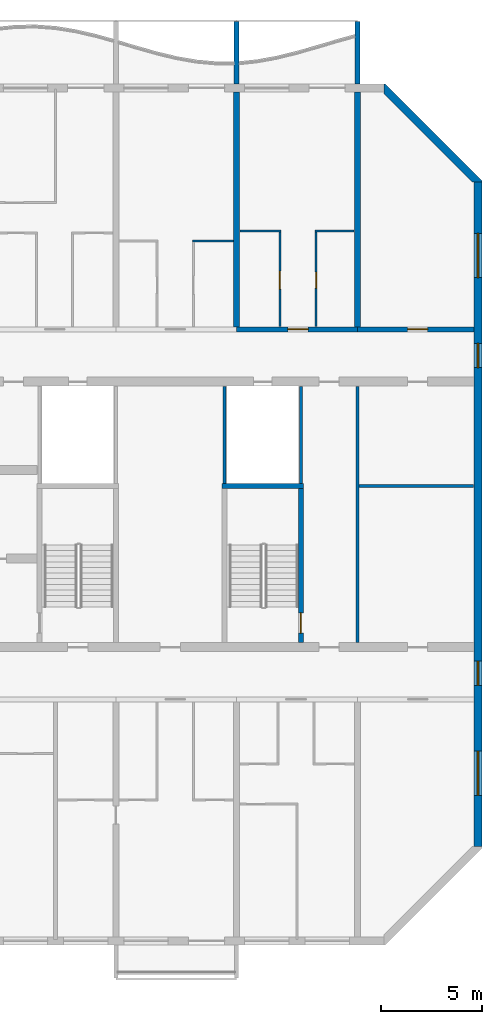
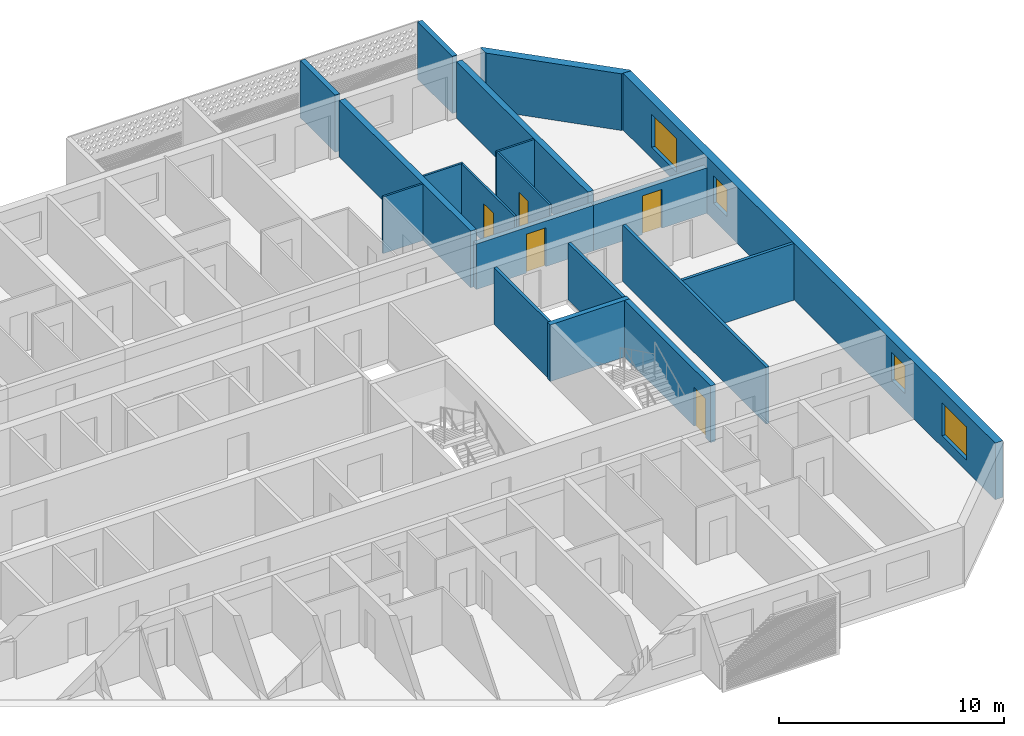
# One storey, part 13 of 33: 19 walls, 5 doors, 4 windows, 9 openings.
"""IFC4 building model written with IfcOpenShell, lengths in metres."""

from ifc_helpers import new_model, si_unit, direction, frame, frame_2d, origin, place, context, subcontext, project, spatial, polyline, rectangle, outline, extrude, source, transform, mapped, material, layer, layer_set, type_object, element, fill, save


model = new_model("IFC4")

# Units and contexts
model_context = context("Model", 3, precision=1e-05, world=origin(), true_north=direction((0.0, 1.0)))
body_context = subcontext(model_context, "Body", "Model", "MODEL_VIEW")
ifc_project = project(units=[si_unit("LENGTHUNIT", "METRE"), si_unit("AREAUNIT", "SQUARE_METRE"), si_unit("VOLUMEUNIT", "CUBIC_METRE"), si_unit("PLANEANGLEUNIT", "RADIAN"), si_unit("MASSUNIT", "GRAM", prefix="KILO")], contexts=[model_context])

# Site, building, storey
site_placement = place(None, origin())
site = spatial("IfcSite", under=ifc_project, at=site_placement, CompositionType="ELEMENT")
building_placement = place(site_placement, origin())
building = spatial("IfcBuilding", under=site, at=building_placement, Name="Poui Terraces", CompositionType="ELEMENT")
storey_placement = place(building_placement, frame((0.0, 0.0, 135.60009765625)))
storey = spatial("IfcBuildingStorey", under=building, at=storey_placement, Name="L37", CompositionType="ELEMENT", Elevation=135.60009765625)

# Wall
ifc_material_1 = material(Name="Fire-rated plasterboard wall")
ifc_layer_1 = layer(ifc_material_1, 0.14990234375)
ifc_layer_set_1 = layer_set([ifc_layer_1], Name="Fire-rated plasterboard wall")
wall_type_1 = type_object("IfcWallType", Name="CORRIDOR WALL 150", PredefinedType="PARTITIONING", material=ifc_layer_set_1)
wall_1_placement = place(storey_placement, frame((84.0, 14.8349609375, 0.0), z_axis=(0.0, 0.0, 1.0), x_axis=(0.0, 1.0, 0.0)))
element("IfcWall", 1, at=wall_1_placement, inside=storey, type_object=wall_type_1, Name="CORRIDOR WALL 150", PredefinedType="PARTITIONING", context=body_context, shape_type="SweptSolid", body=[
    extrude(rectangle(XDim=12.72998046875, YDim=0.14990234375, at=frame_2d((6.364990234375, 0.0))), origin(), (0.0, 0.0, 1.0), 3.06982421875),
])

# Wall, opening, door
ifc_material_2 = material(Name="Concrete 65 MPa", Category="concrete")
ifc_layer_2 = layer(ifc_material_2, 0.25)
ifc_layer_set_2 = layer_set([ifc_layer_2], Name="Concrete 65 MPa")
wall_type_2 = type_object("IfcWallType", Name="CORRIDOR WALL 250 65MPa", PredefinedType="SHEAR", material=ifc_layer_set_2)
wall_2_placement = place(storey_placement, frame((78.0, 30.39990234375, 0.0), z_axis=(0.0, 0.0, 1.0), x_axis=(1.0, 0.0, 0.0)))
wall_2 = element("IfcWall", 2, at=wall_2_placement, inside=storey, type_object=wall_type_2, Name="CORRIDOR WALL LINE E BAY 12", PredefinedType="SHEAR", context=body_context, shape_type="SweptSolid", body=[
    extrude(rectangle(XDim=6.0, YDim=0.25, at=frame_2d((3.0, 0.0))), origin(), (0.0, 0.0, 1.0), 2.469970703125),
])
opening_1_placement = place(wall_2_placement, frame((2.550048828125, 0.0, 0.0)))
opening_1 = element("IfcOpeningElement", 3, at=opening_1_placement, cuts=wall_2, Name="Opening FD30S", PredefinedType="OPENING", context=body_context, shape_type="SweptSolid", body=[
    extrude(rectangle(XDim=1.0, YDim=2.10009765625, at=frame_2d((0.5, 1.050048828125))), frame((0.0, 0.135009765625, 0.0), z_axis=(0.0, -1.0, 0.0), x_axis=(1.0, 0.0, 0.0)), (0.0, 0.0, 1.0), 0.27001953125),
])
ifc_material_3 = material(Name="Steel fire door", Category="steel")
door_type_1 = type_object("IfcDoorType", Name="FLAT ENTRANCE DOOR 1000 X 2100", OperationType="NOTDEFINED", PredefinedType="DOOR", material=ifc_material_3)
door_1_placement = place(opening_1_placement, origin())
door_1 = element("IfcDoor", 4, at=door_1_placement, inside=storey, type_object=door_type_1, Name="FLAT ENTRANCE DOOR 071", OperationType="SINGLE_SWING_RIGHT", OverallHeight=2.10009765625, OverallWidth=1.0, PredefinedType="DOOR", context=body_context, shape_type="SweptSolid", body=[
    extrude(rectangle(XDim=1.0, YDim=2.10009765625, at=frame_2d((0.5, 1.050048828125))), frame((0.0, 0.02490234375, 0.0), z_axis=(0.0, -1.0, 0.0), x_axis=(1.0, 0.0, 0.0)), (0.0, 0.0, 1.0), 0.050048828125),
])
fill(opening_1, door_1)

wall_3_placement = place(storey_placement, frame((84.0, 30.39990234375, 0.0), z_axis=(0.0, 0.0, 1.0), x_axis=(1.0, 0.0, 0.0)))
wall_3 = element("IfcWall", 5, at=wall_3_placement, inside=storey, type_object=wall_type_2, Name="CORRIDOR WALL LINE E BAY 13", PredefinedType="SHEAR", context=body_context, shape_type="SweptSolid", body=[
    extrude(rectangle(XDim=5.800048828125, YDim=0.25, at=frame_2d((2.89990234375, 0.0))), origin(), (0.0, 0.0, 1.0), 2.469970703125),
])
opening_2_placement = place(wall_3_placement, frame((2.5, 0.0, 0.0)))
opening_2 = element("IfcOpeningElement", 6, at=opening_2_placement, cuts=wall_3, Name="Opening D100", PredefinedType="OPENING", context=body_context, shape_type="SweptSolid", body=[
    extrude(rectangle(XDim=1.0, YDim=2.10009765625, at=frame_2d((0.5, 1.050048828125))), frame((0.0, 0.135009765625, 0.0), z_axis=(0.0, -1.0, 0.0), x_axis=(1.0, 0.0, 0.0)), (0.0, 0.0, 1.0), 0.27001953125),
])
ifc_material_4 = material(Name="Solid core timber door", Category="wood")
door_type_2 = type_object("IfcDoorType", Name="ACCESSIBLE INTERNAL DOOR 1000 X 2100", OperationType="NOTDEFINED", PredefinedType="DOOR", material=ifc_material_4)
door_2_placement = place(opening_2_placement, origin())
door_2 = element("IfcDoor", 7, at=door_2_placement, inside=storey, type_object=door_type_2, Name="ACCESSIBLE INTERNAL DOOR 073", OperationType="SINGLE_SWING_LEFT", OverallHeight=2.10009765625, OverallWidth=1.0, PredefinedType="DOOR", context=body_context, shape_type="SweptSolid", body=[
    extrude(rectangle(XDim=1.0, YDim=2.10009765625, at=frame_2d((0.5, 1.050048828125))), frame((0.0, 0.02490234375, 0.0), z_axis=(0.0, -1.0, 0.0), x_axis=(1.0, 0.0, 0.0)), (0.0, 0.0, 1.0), 0.050048828125),
])
fill(opening_2, door_2)

# Walls
ifc_layer_3 = layer(ifc_material_2, 0.300048828125)
ifc_layer_set_3 = layer_set([ifc_layer_3], Name="Concrete 65 MPa")
wall_type_3 = type_object("IfcWallType", Name="CROSS WALL 300 65MPa", PredefinedType="SHEAR", material=ifc_layer_set_3)
for number, where, z_axis, x_axis, name in (
    (8, (78.0, 30.52490234375, 0.0), (0.0, 0.0, 1.0), (0.0, 1.0, 0.0), "CROSS WALL LINE 14 NORTH"),
    (9, (84.0, 30.52490234375, 0.0), (0.0, 0.0, 1.0), (0.0, 1.0, 0.0), "CROSS WALL LINE 15 NORTH"),
):
    element("IfcWall", number, at=place(storey_placement, frame(where, z_axis=z_axis, x_axis=x_axis)), inside=storey, type_object=wall_type_3, Name=name, PredefinedType="SHEAR", context=body_context, shape_type="SweptSolid", body=[
        extrude(rectangle(XDim=11.675048828125, YDim=0.300048828125, at=frame_2d((5.83740234375, 0.0))), origin(), (0.0, 0.0, 1.0), 3.06982421875),
    ])

# Wall, openings, windows
ifc_layer_4 = layer(ifc_material_2, 0.39990234375)
ifc_layer_set_4 = layer_set([ifc_layer_4], Name="Concrete 65 MPa")
wall_type_4 = type_object("IfcWallType", Name="END WALL 400 65MPa", PredefinedType="SHEAR", material=ifc_layer_set_4)
wall_4_placement = place(storey_placement, frame((90.0, 4.682861328125, 0.0), z_axis=(0.0, 0.0, 1.0), x_axis=(0.0, 1.0, 0.0)))
wall_4 = element("IfcWall", 10, at=wall_4_placement, inside=storey, type_object=wall_type_4, Name="END WALL EAST", PredefinedType="SHEAR", context=body_context, shape_type="SweptSolid", body=[
    extrude(rectangle(XDim=33.034423828125, YDim=0.39990234375, at=frame_2d((16.51708984375, 0.0))), origin(), (0.0, 0.0, 1.0), 3.06982421875),
])
opening_3_placement = place(wall_4_placement, frame((23.817138671875, 0.0, 0.89990234375)))
opening_3 = element("IfcOpeningElement", 11, at=opening_3_placement, cuts=wall_4, Name="Opening W2", PredefinedType="OPENING", context=body_context, shape_type="SweptSolid", body=[
    extrude(rectangle(XDim=1.199951171875, YDim=1.5, at=frame_2d((0.60009765625, 0.75))), frame((0.0, 0.2099609375, 0.0), z_axis=(0.0, -1.0, 0.0), x_axis=(1.0, 0.0, 0.0)), (0.0, 0.0, 1.0), 0.419921875),
])
opening_4_placement = place(wall_4_placement, frame((8.01708984375, 0.0, 0.89990234375)))
opening_4 = element("IfcOpeningElement", 12, at=opening_4_placement, cuts=wall_4, Name="Opening W2", PredefinedType="OPENING", context=body_context, shape_type="SweptSolid", body=[
    extrude(rectangle(XDim=1.199951171875, YDim=1.5, at=frame_2d((0.60009765625, 0.75))), frame((0.0, 0.2099609375, 0.0), z_axis=(0.0, -1.0, 0.0), x_axis=(1.0, 0.0, 0.0)), (0.0, 0.0, 1.0), 0.419921875),
])
opening_5_placement = place(wall_4_placement, frame((28.29345703125, 0.0, 0.60009765625)))
opening_5 = element("IfcOpeningElement", 13, at=opening_5_placement, cuts=wall_4, Name="Opening W3", PredefinedType="OPENING", context=body_context, shape_type="SweptSolid", body=[
    extrude(rectangle(XDim=2.199951171875, YDim=1.800048828125, at=frame_2d((1.10009765625, 0.89990234375))), frame((0.0, 0.2099609375, 0.0), z_axis=(0.0, -1.0, 0.0), x_axis=(1.0, 0.0, 0.0)), (0.0, 0.0, 1.0), 0.419921875),
])
opening_6_placement = place(wall_4_placement, frame((2.541015625, 0.0, 0.60009765625)))
opening_6 = element("IfcOpeningElement", 14, at=opening_6_placement, cuts=wall_4, Name="Opening W3", PredefinedType="OPENING", context=body_context, shape_type="SweptSolid", body=[
    extrude(rectangle(XDim=2.199951171875, YDim=1.800048828125, at=frame_2d((1.10009765625, 0.89990234375))), frame((0.0, 0.2099609375, 0.0), z_axis=(0.0, -1.0, 0.0), x_axis=(1.0, 0.0, 0.0)), (0.0, 0.0, 1.0), 0.419921875),
])
ifc_material_5 = material(Name="Clear glass in aluminium frame", Category="aluminium")
window_type_1 = type_object("IfcWindowType", Name="WINDOW 1200X1500", PartitioningType="SINGLE_PANEL", PredefinedType="WINDOW", material=ifc_material_5)
window_1_placement = place(opening_3_placement, origin())
window_1 = element("IfcWindow", 15, at=window_1_placement, inside=storey, type_object=window_type_1, Name="W2 WINDOW", OverallHeight=1.5, OverallWidth=1.199951171875, PartitioningType="SINGLE_PANEL", PredefinedType="WINDOW", context=body_context, shape_type="SweptSolid", body=[
    extrude(rectangle(XDim=1.199951171875, YDim=1.5, at=frame_2d((0.60009765625, 0.75))), frame((0.0, 0.030029296875, 0.0), z_axis=(0.0, -1.0, 0.0), x_axis=(1.0, 0.0, 0.0)), (0.0, 0.0, 1.0), 0.06005859375),
])
fill(opening_3, window_1)
window_2_placement = place(opening_4_placement, origin())
window_2 = element("IfcWindow", 16, at=window_2_placement, inside=storey, type_object=window_type_1, Name="W2 WINDOW", OverallHeight=1.5, OverallWidth=1.199951171875, PartitioningType="SINGLE_PANEL", PredefinedType="WINDOW", context=body_context, shape_type="SweptSolid", body=[
    extrude(rectangle(XDim=1.199951171875, YDim=1.5, at=frame_2d((0.60009765625, 0.75))), frame((0.0, 0.030029296875, 0.0), z_axis=(0.0, -1.0, 0.0), x_axis=(1.0, 0.0, 0.0)), (0.0, 0.0, 1.0), 0.06005859375),
])
fill(opening_4, window_2)
window_type_2 = type_object("IfcWindowType", Name="WINDOW 2200X1800", PartitioningType="DOUBLE_PANEL_HORIZONTAL", PredefinedType="WINDOW", material=ifc_material_5)
window_3_placement = place(opening_5_placement, origin())
window_3 = element("IfcWindow", 17, at=window_3_placement, inside=storey, type_object=window_type_2, Name="W3 WINDOW", OverallHeight=1.800048828125, OverallWidth=2.199951171875, PartitioningType="DOUBLE_PANEL_HORIZONTAL", PredefinedType="WINDOW", context=body_context, shape_type="SweptSolid", body=[
    extrude(rectangle(XDim=2.199951171875, YDim=1.800048828125, at=frame_2d((1.10009765625, 0.89990234375))), frame((0.0, 0.030029296875, 0.0), z_axis=(0.0, -1.0, 0.0), x_axis=(1.0, 0.0, 0.0)), (0.0, 0.0, 1.0), 0.06005859375),
])
fill(opening_5, window_3)
window_4_placement = place(opening_6_placement, origin())
window_4 = element("IfcWindow", 18, at=window_4_placement, inside=storey, type_object=window_type_2, Name="W3 WINDOW", OverallHeight=1.800048828125, OverallWidth=2.199951171875, PartitioningType="DOUBLE_PANEL_HORIZONTAL", PredefinedType="WINDOW", context=body_context, shape_type="SweptSolid", body=[
    extrude(rectangle(XDim=2.199951171875, YDim=1.800048828125, at=frame_2d((1.10009765625, 0.89990234375))), frame((0.0, 0.030029296875, 0.0), z_axis=(0.0, -1.0, 0.0), x_axis=(1.0, 0.0, 0.0)), (0.0, 0.0, 1.0), 0.06005859375),
])
fill(opening_6, window_4)

# Walls
ifc_material_6 = material(Name="Plasterboard partition")
ifc_layer_5 = layer(ifc_material_6, 0.10009765625)
ifc_layer_set_5 = layer_set([ifc_layer_5], Name="Plasterboard partition")
wall_type_5 = type_object("IfcWallType", Name="FLAT PARTITION 100", PredefinedType="PARTITIONING", material=ifc_layer_set_5)
for number, where, z_axis, x_axis, name in (
    (19, (75.800048828125, 34.800048828125, 0.0), (0.0, 0.0, 1.0), (1.0, 0.0, 0.0), "FLAT PARTITION 100"),
    (20, (78.159912109375, 35.300048828125, 0.0), (0.0, 0.0, 1.0), (1.0, 0.0, 0.0), "FLAT PARTITION 100"),
):
    element("IfcWall", number, at=place(storey_placement, frame(where, z_axis=z_axis, x_axis=x_axis)), inside=storey, type_object=wall_type_5, Name=name, PredefinedType="PARTITIONING", context=body_context, shape_type="SweptSolid", body=[
        extrude(rectangle(XDim=2.0400390625, YDim=0.10009765625, at=frame_2d((1.02001953125, 0.0))), origin(), (0.0, 0.0, 1.0), 3.06982421875),
    ])
wall_5_placement = place(storey_placement, frame((81.89990234375, 35.300048828125, 0.0), z_axis=(0.0, 0.0, 1.0), x_axis=(1.0, 0.0, 0.0)))
element("IfcWall", 21, at=wall_5_placement, inside=storey, type_object=wall_type_5, Name="FLAT PARTITION 100", PredefinedType="PARTITIONING", context=body_context, shape_type="SweptSolid", body=[
    extrude(rectangle(XDim=1.940185546875, YDim=0.10009765625, at=frame_2d((0.97021484375, 0.0))), origin(), (0.0, 0.0, 1.0), 3.06982421875),
])

# Wall, opening, door
wall_6_placement = place(storey_placement, frame((80.14990234375, 30.534912109375, 0.0), z_axis=(0.0, 0.0, 1.0), x_axis=(0.0, 1.0, 0.0)))
wall_6 = element("IfcWall", 22, at=wall_6_placement, inside=storey, type_object=wall_type_5, Name="FLAT PARTITION 100", PredefinedType="PARTITIONING", context=body_context, shape_type="SweptSolid", body=[
    extrude(rectangle(XDim=4.715087890625, YDim=0.10009765625, at=frame_2d((2.357421875, 0.0))), origin(), (0.0, 0.0, 1.0), 3.06982421875),
])
opening_7_placement = place(wall_6_placement, frame((1.864990234375, 0.0, 0.0)))
opening_7 = element("IfcOpeningElement", 23, at=opening_7_placement, cuts=wall_6, Name="Opening D90", PredefinedType="OPENING", context=body_context, shape_type="SweptSolid", body=[
    extrude(rectangle(XDim=0.89990234375, YDim=2.10009765625, at=frame_2d((0.449951171875, 1.050048828125))), frame((0.0, 0.06005859375, 0.0), z_axis=(0.0, -1.0, 0.0), x_axis=(1.0, 0.0, 0.0)), (0.0, 0.0, 1.0), 0.1201171875),
])
door_type_3 = type_object("IfcDoorType", Name="INTERNAL DOOR 900 X 2100", OperationType="NOTDEFINED", PredefinedType="DOOR", material=ifc_material_4)
door_3_placement = place(opening_7_placement, origin())
door_3 = element("IfcDoor", 24, at=door_3_placement, inside=storey, type_object=door_type_3, Name="INTERNAL DOOR 070", OperationType="SINGLE_SWING_RIGHT", OverallHeight=2.10009765625, OverallWidth=0.89990234375, PredefinedType="DOOR", context=body_context, shape_type="SweptSolid", body=[
    extrude(rectangle(XDim=0.89990234375, YDim=2.10009765625, at=frame_2d((0.449951171875, 1.050048828125))), frame((0.0, 0.02490234375, 0.0), z_axis=(0.0, -1.0, 0.0), x_axis=(1.0, 0.0, 0.0)), (0.0, 0.0, 1.0), 0.050048828125),
])
fill(opening_7, door_3)

wall_7_placement = place(storey_placement, frame((81.949951171875, 30.534912109375, 0.0), z_axis=(0.0, 0.0, 1.0), x_axis=(0.0, 1.0, 0.0)))
wall_7 = element("IfcWall", 25, at=wall_7_placement, inside=storey, type_object=wall_type_5, Name="FLAT PARTITION 100", PredefinedType="PARTITIONING", context=body_context, shape_type="SweptSolid", body=[
    extrude(rectangle(XDim=4.715087890625, YDim=0.10009765625, at=frame_2d((2.357421875, 0.0))), origin(), (0.0, 0.0, 1.0), 3.06982421875),
])
opening_8_placement = place(wall_7_placement, frame((1.9150390625, 0.0, 0.0)))
opening_8 = element("IfcOpeningElement", 26, at=opening_8_placement, cuts=wall_7, Name="Opening D80", PredefinedType="OPENING", context=body_context, shape_type="SweptSolid", body=[
    extrude(rectangle(XDim=0.800048828125, YDim=2.10009765625, at=frame_2d((0.39990234375, 1.050048828125))), frame((0.0, 0.06005859375, 0.0), z_axis=(0.0, -1.0, 0.0), x_axis=(1.0, 0.0, 0.0)), (0.0, 0.0, 1.0), 0.1201171875),
])
door_type_4 = type_object("IfcDoorType", Name="BATHROOM, LAUNDRY AND STORE DOOR 800 X 2100", OperationType="NOTDEFINED", PredefinedType="DOOR", material=ifc_material_4)
door_4_placement = place(opening_8_placement, frame((0.800048828125, 0.0, 0.0), z_axis=(0.0, 0.0, 1.0), x_axis=(-1.0, 0.0, 0.0)))
door_4 = element("IfcDoor", 27, at=door_4_placement, inside=storey, type_object=door_type_4, Name="BATHROOM, LAUNDRY AND STORE DOOR 072", OperationType="SINGLE_SWING_RIGHT", OverallHeight=2.10009765625, OverallWidth=0.800048828125, PredefinedType="DOOR", context=body_context, shape_type="SweptSolid", body=[
    extrude(rectangle(XDim=0.800048828125, YDim=2.10009765625, at=frame_2d((0.39990234375, 1.050048828125))), frame((0.0, 0.02490234375, 0.0), z_axis=(0.0, -1.0, 0.0), x_axis=(1.0, 0.0, 0.0)), (0.0, 0.0, 1.0), 0.050048828125),
])
fill(opening_8, door_4)

# Walls
ifc_layer_6 = layer(ifc_material_6, 0.14990234375)
ifc_layer_set_6 = layer_set([ifc_layer_6], Name="Plasterboard partition")
wall_type_6 = type_object("IfcWallType", Name="PARTITION WALL 150", PredefinedType="PARTITIONING", material=ifc_layer_set_6)
wall_8_placement = place(storey_placement, frame((84.074951171875, 22.60009765625, 0.0), z_axis=(0.0, 0.0, 1.0), x_axis=(1.0, 0.0, 0.0)))
element("IfcWall", 28, at=wall_8_placement, inside=storey, type_object=wall_type_6, Name="PARTITION WALL 150", PredefinedType="PARTITIONING", context=body_context, shape_type="SweptSolid", body=[
    extrude(rectangle(XDim=5.715087890625, YDim=0.14990234375, at=frame_2d((2.857421875, 0.0))), origin(), (0.0, 0.0, 1.0), 3.06982421875),
])
ifc_material_7 = material(Name="Fire-rated plasterboard riser wall")
ifc_layer_7 = layer(ifc_material_7, 0.14990234375)
ifc_layer_set_7 = layer_set([ifc_layer_7], Name="Fire-rated plasterboard riser wall")
wall_type_7 = type_object("IfcWallType", Name="RISER WALL 150", PredefinedType="PARTITIONING", material=ifc_layer_set_7)
for number, where, z_axis, x_axis, name in (
    (29, (77.39990234375, 22.735107421875, 0.0), (0.0, 0.0, 1.0), (0.0, 1.0, 0.0), "RISER WALL 150"),
    (30, (81.199951171875, 22.735107421875, 0.0), (0.0, 0.0, 1.0), (0.0, 1.0, 0.0), "RISER WALL 150"),
):
    element("IfcWall", number, at=place(storey_placement, frame(where, z_axis=z_axis, x_axis=x_axis)), inside=storey, type_object=wall_type_7, Name=name, PredefinedType="PARTITIONING", context=body_context, shape_type="SweptSolid", body=[
        extrude(rectangle(XDim=4.829833984375, YDim=0.14990234375, at=frame_2d((2.4150390625, 0.0))), origin(), (0.0, 0.0, 1.0), 3.06982421875),
    ])

# Wall, opening, door
ifc_layer_8 = layer(ifc_material_2, 0.25)
ifc_layer_set_8 = layer_set([ifc_layer_8], Name="Concrete 65 MPa")
wall_type_8 = type_object("IfcWallType", Name="STAIR CORE WALL 250 65 MPA", PredefinedType="SOLIDWALL", material=ifc_layer_set_8)
wall_9_placement = place(storey_placement, frame((81.199951171875, 14.824951171875, 0.0), z_axis=(0.0, 0.0, 1.0), x_axis=(0.0, 1.0, 0.0)))
wall_9 = element("IfcWall", 31, at=wall_9_placement, inside=storey, type_object=wall_type_8, Name="STAIR CORE WALL", PredefinedType="SOLIDWALL", context=body_context, shape_type="SweptSolid", body=[
    extrude(rectangle(XDim=7.650146484375, YDim=0.25, at=frame_2d((3.8251953125, 0.0))), origin(), (0.0, 0.0, 1.0), 3.06982421875),
])
opening_9_placement = place(wall_9_placement, frame((0.47509765625, 0.0, 0.0)))
opening_9 = element("IfcOpeningElement", 32, at=opening_9_placement, cuts=wall_9, Name="Opening FD60S", PredefinedType="OPENING", context=body_context, shape_type="SweptSolid", body=[
    extrude(rectangle(XDim=1.0, YDim=2.10009765625, at=frame_2d((0.5, 1.050048828125))), frame((0.0, 0.135009765625, 0.0), z_axis=(0.0, -1.0, 0.0), x_axis=(1.0, 0.0, 0.0)), (0.0, 0.0, 1.0), 0.27001953125),
])
door_type_5 = type_object("IfcDoorType", Name="STAIR DOOR 1000 X 2100", OperationType="NOTDEFINED", PredefinedType="DOOR", material=ifc_material_3)
door_5_placement = place(opening_9_placement, origin())
door_5 = element("IfcDoor", 33, at=door_5_placement, inside=storey, type_object=door_type_5, Name="STAIR DOOR 132", OperationType="SINGLE_SWING_LEFT", OverallHeight=2.10009765625, OverallWidth=1.0, PredefinedType="DOOR", context=body_context, shape_type="SweptSolid", body=[
    extrude(rectangle(XDim=1.0, YDim=2.10009765625, at=frame_2d((0.5, 1.050048828125))), frame((0.0, 0.02490234375, 0.0), z_axis=(0.0, -1.0, 0.0), x_axis=(1.0, 0.0, 0.0)), (0.0, 0.0, 1.0), 0.050048828125),
])
fill(opening_9, door_5)

# Walls
wall_10_placement = place(storey_placement, frame((77.27490234375, 22.60009765625, 0.0), z_axis=(0.0, 0.0, 1.0), x_axis=(1.0, 0.0, 0.0)))
element("IfcWall", 34, at=wall_10_placement, inside=storey, type_object=wall_type_8, Name="STAIR CORE WALL", PredefinedType="SOLIDWALL", context=body_context, shape_type="SweptSolid", body=[
    extrude(rectangle(XDim=4.050048828125, YDim=0.25, at=frame_2d((2.02490234375, 0.0))), origin(), (0.0, 0.0, 1.0), 3.06982421875),
])
ifc_material_8 = material(Name="Precast concrete 40 MPa", Category="concrete")
ifc_layer_9 = layer(ifc_material_8, 0.39990234375)
ifc_layer_set_9 = layer_set([ifc_layer_9], Name="Precast concrete 40 MPa")
wall_type_9 = type_object("IfcWallType", Name="TERRACOTTA CLAD CHAMFER WALL 400", PredefinedType="STANDARD", material=ifc_layer_set_9)
wall_11_placement = place(storey_placement, origin())
element("IfcWall", 35, at=wall_11_placement, inside=storey, type_object=wall_type_9, Name="CHAMFER WALL CH03", PredefinedType="STANDARD", context=body_context, shape_type="SweptSolid", body=[
    extrude(outline(polyline([(90.199951171875, 37.71728515625), (90.199951171875, 37.800048828125), (85.39990234375, 42.60009765625), (85.317138671875, 42.60009765625), (85.317138671875, 42.1171875), (89.71728515625, 37.71728515625), (90.199951171875, 37.71728515625)])), origin(), (0.0, 0.0, 1.0), 3.06982421875),
])
ifc_layer_10 = layer(ifc_material_8, 0.25)
ifc_layer_set_10 = layer_set([ifc_layer_10], Name="Precast concrete 40 MPa")
wall_type_10 = type_object("IfcWallType", Name="BALCONY FIN 250", PredefinedType="STANDARD", material=ifc_layer_set_10)
shared_shape = source(origin(), body_context, "Body", "SweptSolid", [
    extrude(outline(polyline([(0.0, 0.0), (0.25, 0.0), (0.25, 3.099853515625), (0.0, 3.099853515625), (0.0, 0.0)])), origin(), (0.0, 0.0, 1.0), 3.099853515625),
])
for number, where, name in (
    (36, (77.875, 42.60009765625, 0.0), "BALCONY FIN"),
    (37, (83.875, 42.60009765625, 0.0), "BALCONY FIN"),
):
    element("IfcWall", number, at=place(storey_placement, frame(where)), inside=storey, type_object=wall_type_10, Name=name, PredefinedType="STANDARD", context=body_context, shape_type="MappedRepresentation", body=[
        mapped(shared_shape, transform((0.0, 0.0, 0.0))),
    ])

save(model, "model.ifc")
